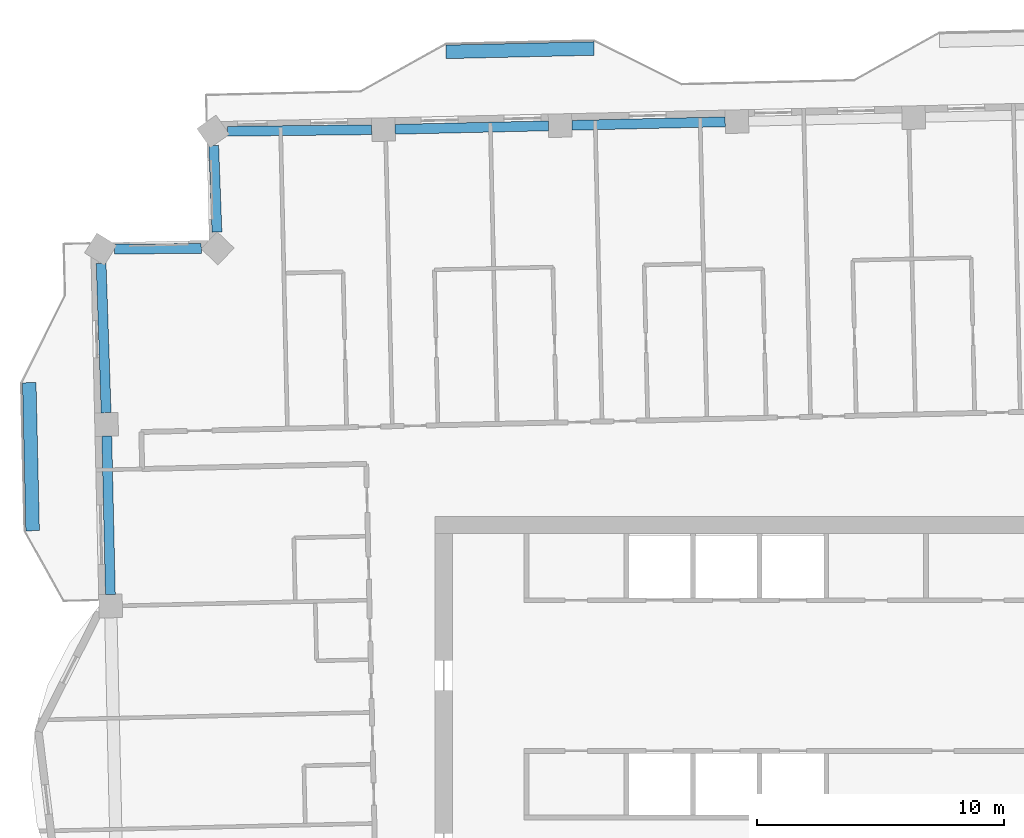
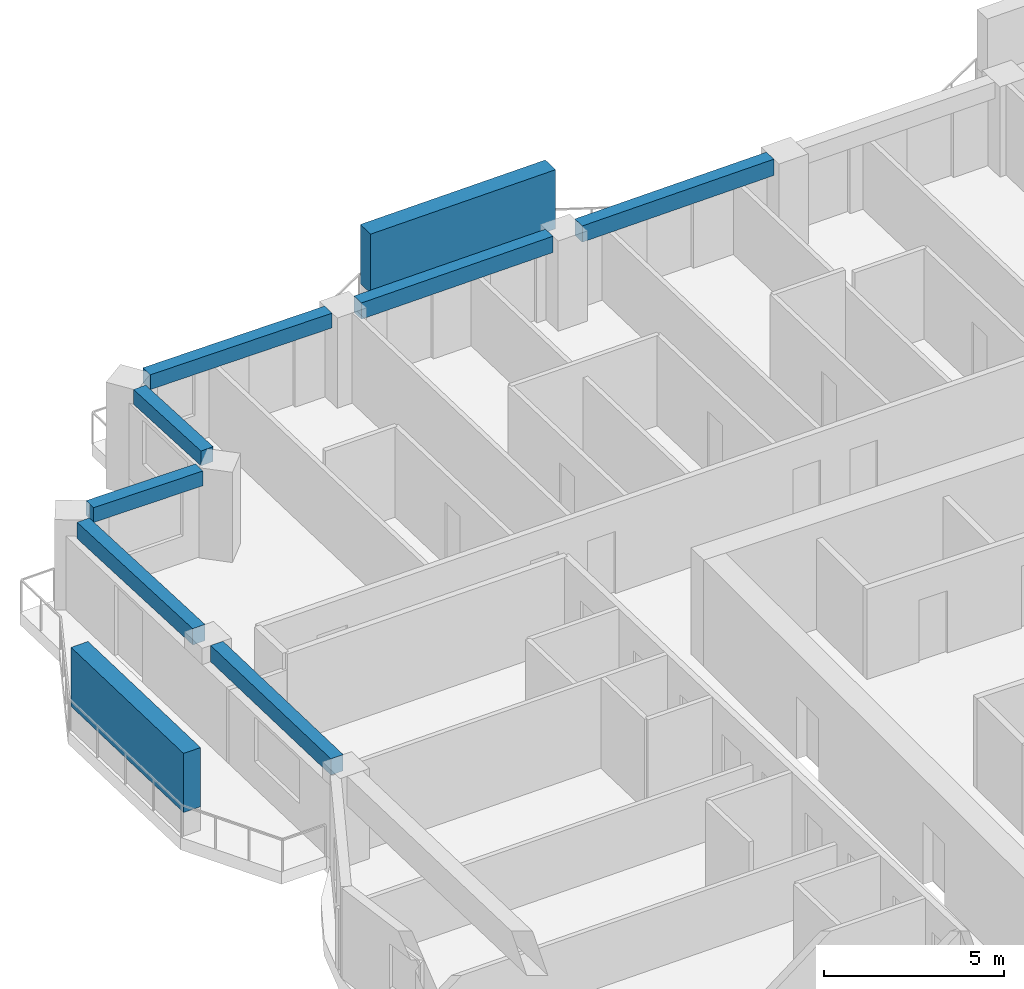
# One storey, part 3 of 19: 7 beams, 2 members.
"""IFC4 building model written with IfcOpenShell, lengths in metres."""

from ifc_helpers import new_model, si_unit, direction, frame, origin, origin_2d, place, context, subcontext, project, spatial, rectangle, extrude, material, material_profile, profile_set, type_object, element, save


model = new_model("IFC4")

# Units and contexts
model_context = context("Model", 3, precision=1e-05, world=origin(), true_north=direction((0.0, 1.0)))
body_context = subcontext(model_context, "Body", "Model", "MODEL_VIEW")
ifc_project = project(units=[si_unit("LENGTHUNIT", "METRE"), si_unit("AREAUNIT", "SQUARE_METRE"), si_unit("VOLUMEUNIT", "CUBIC_METRE"), si_unit("PLANEANGLEUNIT", "RADIAN"), si_unit("MASSUNIT", "GRAM", prefix="KILO")], contexts=[model_context])

# Site, building, storey
site_placement = place(None, origin())
site = spatial("IfcSite", under=ifc_project, at=site_placement, CompositionType="ELEMENT")
building_placement = place(site_placement, origin())
building = spatial("IfcBuilding", under=site, at=building_placement, Name="Mangrove Gate Tower", CompositionType="ELEMENT")
storey_placement = place(building_placement, frame((0.0, 0.0, 297.89990234375)))
storey = spatial("IfcBuildingStorey", under=building, at=storey_placement, Name="L76", CompositionType="ELEMENT", Elevation=297.89990234375)

# Members
ifc_material_1 = material(Name="Planting on aluminium trellis", Category="aluminium")
ifc_material_profile_1 = material_profile(ifc_material_1, rectangle(XDim=0.550048828125, YDim=2.0, at=origin_2d()))
ifc_profile_set_1 = profile_set([ifc_material_profile_1], Name="Planting on aluminium trellis")
member_type = type_object("IfcMemberType", Name="Balcony greenery screen 550x2000", PredefinedType="USERDEFINED", material=ifc_profile_set_1)
member_1_placement = place(storey_placement, frame((-14.054931640625, 30.31689453125, 1.800048828125), z_axis=(0.999743178102, 0.022662255828, 0.0), x_axis=(-0.022662255828, 0.999743178102, 0.0)))
element("IfcMember", 1, at=member_1_placement, inside=storey, type_object=member_type, Name="GREEN SCREEN L76 N1.1", ObjectType="PLANTING", PredefinedType="USERDEFINED", context=body_context, shape_type="SweptSolid", body=[
    extrude(rectangle(XDim=0.550048828125, YDim=2.0, at=origin_2d()), origin(), (0.0, 0.0, 1.0), 6.00048828125),
])
member_2_placement = place(storey_placement, frame((-30.802001953125, 10.9169921875, 1.800048828125), z_axis=(-0.022665943652, 0.999743094499, 0.0), x_axis=(-0.999743094499, -0.022665943652, 0.0)))
element("IfcMember", 2, at=member_2_placement, inside=storey, type_object=member_type, Name="GREEN SCREEN L76 W0.1", ObjectType="PLANTING", PredefinedType="USERDEFINED", context=body_context, shape_type="SweptSolid", body=[
    extrude(rectangle(XDim=0.550048828125, YDim=2.0, at=origin_2d()), origin(), (0.0, 0.0, 1.0), 5.99951171875),
])

# Beams
ifc_material_2 = material(Name="Concrete C50/60", Category="concrete")
ifc_material_profile_2 = material_profile(ifc_material_2, rectangle(XDim=0.39990234375, YDim=0.5, at=origin_2d()))
ifc_profile_set_2 = profile_set([ifc_material_profile_2], Name="Concrete C50/60")
beam_type_1 = type_object("IfcBeamType", Name="Edge beam RC 400x500 C50/60", PredefinedType="BEAM", material=ifc_profile_set_2)
beam_1_placement = place(storey_placement, frame((-17.064208984375, 27.163818359375, 2.800048828125), z_axis=(-0.999938328847, -0.011105786867, 0.0), x_axis=(0.011105786867, -0.999938328847, 0.0)))
element("IfcBeam", 3, at=beam_1_placement, inside=storey, type_object=beam_type_1, Name="Edge beam L76 28", PredefinedType="BEAM", context=body_context, shape_type="SweptSolid", body=[
    extrude(rectangle(XDim=0.39990234375, YDim=0.5, at=origin_2d()), origin(), (0.0, 0.0, 1.0), 5.847412109375),
])
beam_2_placement = place(storey_placement, frame((-23.46630859375, 26.52685546875, 2.800048828125), z_axis=(0.037803278798, -0.999285200587, 0.0), x_axis=(0.999285200587, 0.037803278798, 0.0)))
element("IfcBeam", 4, at=beam_2_placement, inside=storey, type_object=beam_type_1, Name="Edge beam L76 29", PredefinedType="BEAM", context=body_context, shape_type="SweptSolid", body=[
    extrude(rectangle(XDim=0.39990234375, YDim=0.5, at=origin_2d()), origin(), (0.0, 0.0, 1.0), 3.51318359375),
])
beam_3_placement = place(storey_placement, frame((-23.9697265625, 22.3505859375, 2.800048828125), z_axis=(-0.999978236017, -0.006597536803, 0.0), x_axis=(0.006597536803, -0.999978236017, 0.0)))
element("IfcBeam", 5, at=beam_3_placement, inside=storey, type_object=beam_type_1, Name="Edge beam L76 30", PredefinedType="BEAM", context=body_context, shape_type="SweptSolid", body=[
    extrude(rectangle(XDim=0.39990234375, YDim=0.5, at=origin_2d()), origin(), (0.0, 0.0, 1.0), 3.515380859375),
])
ifc_material_3 = material(Name="Concrete C50/60", Category="concrete")
ifc_material_profile_3 = material_profile(ifc_material_3, rectangle(XDim=0.39990234375, YDim=0.550048828125, at=origin_2d()))
ifc_profile_set_3 = profile_set([ifc_material_profile_3], Name="Concrete C50/60")
beam_type_2 = type_object("IfcBeamType", Name="Edge beam RC 400x550 C50/60", PredefinedType="BEAM", material=ifc_profile_set_3)
beam_4_placement = place(storey_placement, frame((-2.7431640625, 27.4833984375, 2.775146484375), z_axis=(-0.999741125002, -0.022752647749, 0.0), x_axis=(0.022752647749, -0.999741125002, 0.0)))
element("IfcBeam", 6, at=beam_4_placement, inside=storey, type_object=beam_type_2, Name="Edge beam L76 26", PredefinedType="BEAM", context=body_context, shape_type="SweptSolid", body=[
    extrude(rectangle(XDim=0.39990234375, YDim=0.550048828125, at=origin_2d()), origin(), (0.0, 0.0, 1.0), 6.212890625),
])
beam_5_placement = place(storey_placement, frame((-9.904052734375, 27.3203125, 2.775146484375), z_axis=(-0.999744607867, -0.022599093821, 0.0), x_axis=(0.022599093821, -0.999744607867, 0.0)))
element("IfcBeam", 7, at=beam_5_placement, inside=storey, type_object=beam_type_2, Name="Edge beam L76 27", PredefinedType="BEAM", context=body_context, shape_type="SweptSolid", body=[
    extrude(rectangle(XDim=0.39990234375, YDim=0.550048828125, at=origin_2d()), origin(), (0.0, 0.0, 1.0), 6.211669921875),
])
beam_6_placement = place(storey_placement, frame((-28.027099609375, 21.7529296875, 2.775146484375), z_axis=(0.033530874291, -0.999437682134, 0.0), x_axis=(0.999437682134, 0.033530874291, 0.0)))
element("IfcBeam", 8, at=beam_6_placement, inside=storey, type_object=beam_type_2, Name="Edge beam L76 31", PredefinedType="BEAM", context=body_context, shape_type="SweptSolid", body=[
    extrude(rectangle(XDim=0.39990234375, YDim=0.550048828125, at=origin_2d()), origin(), (0.0, 0.0, 1.0), 6.057861328125),
])
beam_7_placement = place(storey_placement, frame((-27.79736328125, 14.748779296875, 2.775146484375), z_axis=(0.022693727478, -0.999742464204, 0.0), x_axis=(0.999742464204, 0.022693727478, 0.0)))
element("IfcBeam", 9, at=beam_7_placement, inside=storey, type_object=beam_type_2, Name="Edge beam L76 32", PredefinedType="BEAM", context=body_context, shape_type="SweptSolid", body=[
    extrude(rectangle(XDim=0.39990234375, YDim=0.550048828125, at=origin_2d()), origin(), (0.0, 0.0, 1.0), 6.411865234375),
])

save(model, "model.ifc")
